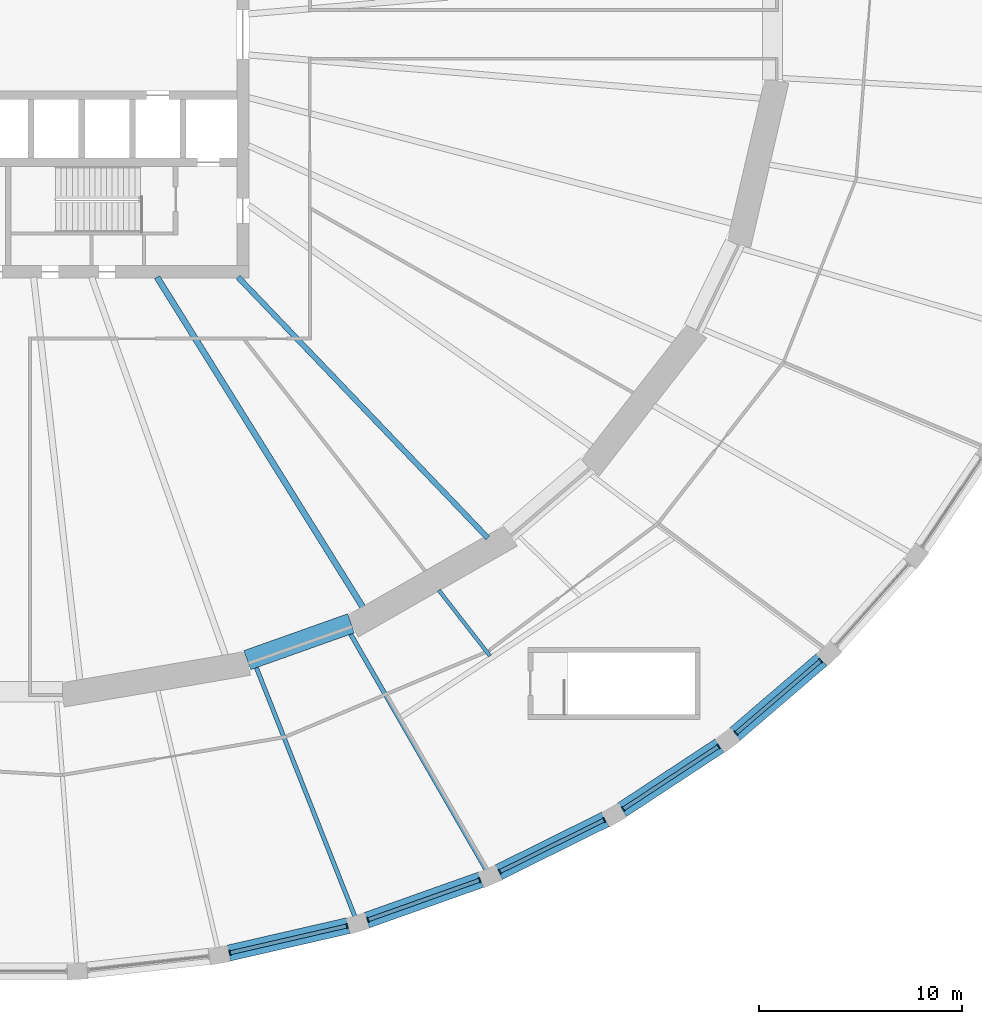
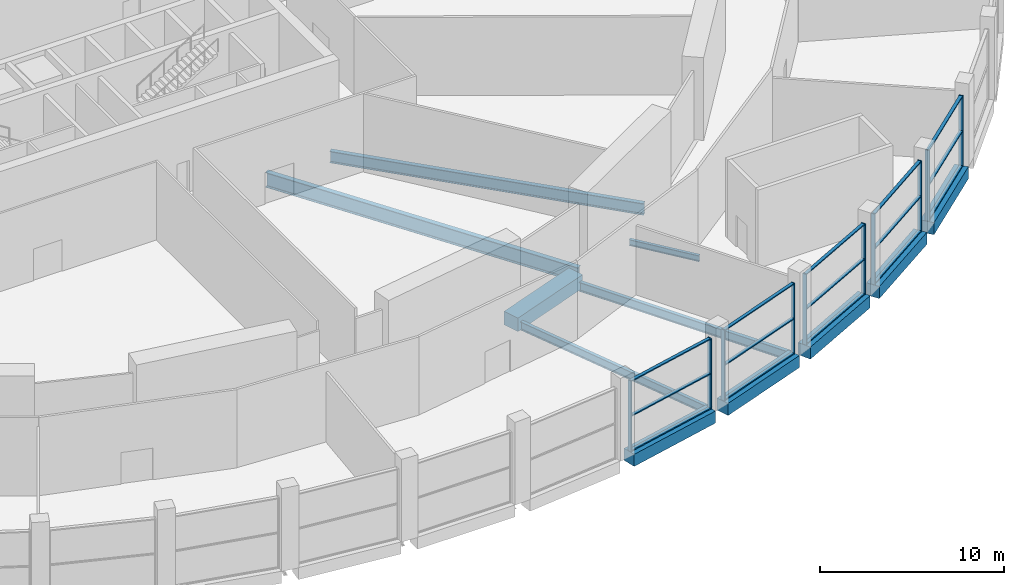
# One storey, part 7 of 26: 25 members, 11 beams, 5 elements without a shape of their own.
"""IFC4 building model written with IfcOpenShell, lengths in metres."""

from ifc_helpers import new_model, si_unit, direction, frame, origin, origin_2d, place, context, subcontext, project, spatial, rectangle, i_section, extrude, material, material_profile, profile_set, type_object, element, aggregate, save


model = new_model("IFC4")

# Units and contexts
model_context = context("Model", 3, precision=1e-05, world=origin(), true_north=direction((0.0, 1.0)))
body_context = subcontext(model_context, "Body", "Model", "MODEL_VIEW")
ifc_project = project(units=[si_unit("LENGTHUNIT", "METRE"), si_unit("AREAUNIT", "SQUARE_METRE"), si_unit("VOLUMEUNIT", "CUBIC_METRE"), si_unit("PLANEANGLEUNIT", "RADIAN"), si_unit("MASSUNIT", "GRAM", prefix="KILO")], contexts=[model_context])

# Site, building, storey
site_placement = place(None, origin())
site = spatial("IfcSite", under=ifc_project, at=site_placement, CompositionType="ELEMENT")
building_placement = place(site_placement, origin())
building = spatial("IfcBuilding", under=site, at=building_placement, Name="Halqa Exchange Tower", CompositionType="ELEMENT")
storey_placement = place(building_placement, frame((0.0, 0.0, 18.0)))
storey = spatial("IfcBuildingStorey", under=building, at=storey_placement, Name="L03", CompositionType="ELEMENT", Elevation=18.0)

# Curtain wall, members
ifc_material_1 = material(Name="Anodised aluminium and clear glass", Category="aluminium")
curtain_wall_type = type_object("IfcCurtainWallType", Name="Exchange hall glazing", PredefinedType="NOTDEFINED", material=ifc_material_1)
curtain_wall_1_placement = place(storey_placement, origin())
curtain_wall_1 = element("IfcCurtainWall", 1, at=curtain_wall_1_placement, inside=storey, type_object=curtain_wall_type, Name="Exchange hall glazing run P38", PredefinedType="NOTDEFINED")
ifc_material_2 = material(Name="Anodised aluminium", Category="aluminium")
ifc_material_profile_1 = material_profile(ifc_material_2, rectangle(XDim=0.25, YDim=0.070068359375, at=origin_2d()), Name="AL 70x250")
ifc_profile_set_1 = profile_set([ifc_material_profile_1], Name="Anodised aluminium")
member_type_1 = type_object("IfcMemberType", Name="Exchange hall glazing mullion 70 x 250", PredefinedType="MULLION", material=ifc_profile_set_1)
member_1_placement = place(storey_placement, frame((11.056396484375, -45.29052734375, 0.0), z_axis=(0.0, 0.0, 1.0), x_axis=(-0.223896655269, 0.974612891234, 0.0)))
member_1 = element("IfcMember", 2, at=member_1_placement, type_object=member_type_1, Name="P38 mullion 1", PredefinedType="MULLION", context=body_context, shape_type="SweptSolid", body=[
    extrude(rectangle(XDim=0.25, YDim=0.070068359375, at=origin_2d()), origin(), (0.0, 0.0, 1.0), 4.699951171875),
])
member_2_placement = place(storey_placement, frame((16.836181640625, -43.962646484375, 0.0), z_axis=(0.0, 0.0, 1.0), x_axis=(-0.223896655269, 0.974612891234, 0.0)))
member_2 = element("IfcMember", 3, at=member_2_placement, type_object=member_type_1, Name="P38 mullion 2", PredefinedType="MULLION", context=body_context, shape_type="SweptSolid", body=[
    extrude(rectangle(XDim=0.25, YDim=0.070068359375, at=origin_2d()), origin(), (0.0, 0.0, 1.0), 4.699951171875),
])

curtain_wall_2_placement = place(storey_placement, origin())
curtain_wall_2 = element("IfcCurtainWall", 4, at=curtain_wall_2_placement, inside=storey, type_object=curtain_wall_type, Name="Exchange hall glazing run P39", PredefinedType="NOTDEFINED")
member_3_placement = place(storey_placement, frame((17.86181640625, -43.663818359375, 0.0), z_axis=(0.0, 0.0, 1.0), x_axis=(-0.334688348326, 0.942328875444, 0.0)))
member_3 = element("IfcMember", 5, at=member_3_placement, type_object=member_type_1, Name="P39 mullion 1", PredefinedType="MULLION", context=body_context, shape_type="SweptSolid", body=[
    extrude(rectangle(XDim=0.25, YDim=0.070068359375, at=origin_2d()), origin(), (0.0, 0.0, 1.0), 4.699951171875),
])
member_4_placement = place(storey_placement, frame((23.37939453125, -41.7041015625, 0.0), z_axis=(0.0, 0.0, 1.0), x_axis=(-0.334688348326, 0.942328875444, 0.0)))
member_4 = element("IfcMember", 6, at=member_4_placement, type_object=member_type_1, Name="P39 mullion 2", PredefinedType="MULLION", context=body_context, shape_type="SweptSolid", body=[
    extrude(rectangle(XDim=0.25, YDim=0.070068359375, at=origin_2d()), origin(), (0.0, 0.0, 1.0), 4.699951171875),
])

curtain_wall_3_placement = place(storey_placement, origin())
curtain_wall_3 = element("IfcCurtainWall", 7, at=curtain_wall_3_placement, inside=storey, type_object=curtain_wall_type, Name="Exchange hall glazing run P40", PredefinedType="NOTDEFINED")
member_5_placement = place(storey_placement, frame((24.363037109375, -41.287841796875, 0.0), z_axis=(0.0, 0.0, 1.0), x_axis=(-0.443653417058, 0.896198440934, 0.0)))
member_5 = element("IfcMember", 8, at=member_5_placement, type_object=member_type_1, Name="P40 mullion 1", PredefinedType="MULLION", context=body_context, shape_type="SweptSolid", body=[
    extrude(rectangle(XDim=0.25, YDim=0.070068359375, at=origin_2d()), origin(), (0.0, 0.0, 1.0), 4.699951171875),
])
member_6_placement = place(storey_placement, frame((29.521240234375, -38.734375, 0.0), z_axis=(0.0, 0.0, 1.0), x_axis=(-0.443653417058, 0.896198440934, 0.0)))
member_6 = element("IfcMember", 9, at=member_6_placement, type_object=member_type_1, Name="P40 mullion 2", PredefinedType="MULLION", context=body_context, shape_type="SweptSolid", body=[
    extrude(rectangle(XDim=0.25, YDim=0.070068359375, at=origin_2d()), origin(), (0.0, 0.0, 1.0), 4.699951171875),
])

curtain_wall_4_placement = place(storey_placement, origin())
curtain_wall_4 = element("IfcCurtainWall", 10, at=curtain_wall_4_placement, inside=storey, type_object=curtain_wall_type, Name="Exchange hall glazing run P41", PredefinedType="NOTDEFINED")
member_7_placement = place(storey_placement, frame((30.44775390625, -38.202880859375, 0.0), z_axis=(0.0, 0.0, 1.0), x_axis=(-0.549620040919, 0.835414753652, 0.0)))
member_7 = element("IfcMember", 11, at=member_7_placement, type_object=member_type_1, Name="P41 mullion 1", PredefinedType="MULLION", context=body_context, shape_type="SweptSolid", body=[
    extrude(rectangle(XDim=0.25, YDim=0.070068359375, at=origin_2d()), origin(), (0.0, 0.0, 1.0), 4.699951171875),
])
member_8_placement = place(storey_placement, frame((35.15771484375, -35.104248046875, 0.0), z_axis=(0.0, 0.0, 1.0), x_axis=(-0.549620040919, 0.835414753652, 0.0)))
member_8 = element("IfcMember", 12, at=member_8_placement, type_object=member_type_1, Name="P41 mullion 2", PredefinedType="MULLION", context=body_context, shape_type="SweptSolid", body=[
    extrude(rectangle(XDim=0.25, YDim=0.070068359375, at=origin_2d()), origin(), (0.0, 0.0, 1.0), 4.699951171875),
])

curtain_wall_5_placement = place(storey_placement, origin())
curtain_wall_5 = element("IfcCurtainWall", 13, at=curtain_wall_5_placement, inside=storey, type_object=curtain_wall_type, Name="Exchange hall glazing run P42", PredefinedType="NOTDEFINED")
member_9_placement = place(storey_placement, frame((36.010986328125, -34.4619140625, 0.0), z_axis=(0.0, 0.0, 1.0), x_axis=(-0.650910929175, 0.759154109704, 0.0)))
member_9 = element("IfcMember", 14, at=member_9_placement, type_object=member_type_1, Name="P42 mullion 1", PredefinedType="MULLION", context=body_context, shape_type="SweptSolid", body=[
    extrude(rectangle(XDim=0.25, YDim=0.070068359375, at=origin_2d()), origin(), (0.0, 0.0, 1.0), 4.699951171875),
])
member_10_placement = place(storey_placement, frame((40.193115234375, -30.8759765625, 0.0), z_axis=(0.0, 0.0, 1.0), x_axis=(-0.650910929175, 0.759154109704, 0.0)))
member_10 = element("IfcMember", 15, at=member_10_placement, type_object=member_type_1, Name="P42 mullion 2", PredefinedType="MULLION", context=body_context, shape_type="SweptSolid", body=[
    extrude(rectangle(XDim=0.25, YDim=0.070068359375, at=origin_2d()), origin(), (0.0, 0.0, 1.0), 4.699951171875),
])

# Member
ifc_material_profile_2 = material_profile(ifc_material_2, rectangle(XDim=0.199951171875, YDim=0.070068359375, at=origin_2d()), Name="AL 70x200")
ifc_profile_set_2 = profile_set([ifc_material_profile_2], Name="Anodised aluminium")
member_type_2 = type_object("IfcMemberType", Name="Exchange hall glazing transom 70 x 200", PredefinedType="USERDEFINED", material=ifc_profile_set_2)
member_11_placement = place(storey_placement, frame((11.09033203125, -45.28271484375, 0.034912109375), z_axis=(0.974610483498, 0.223907135784, 0.0), x_axis=(-0.223907135784, 0.974610483498, 0.0)))
member_11 = element("IfcMember", 16, at=member_11_placement, type_object=member_type_2, Name="P38 transom 1.1", ObjectType="TRANSOM", PredefinedType="USERDEFINED", context=body_context, shape_type="SweptSolid", body=[
    extrude(rectangle(XDim=0.199951171875, YDim=0.070068359375, at=origin_2d()), origin(), (0.0, 0.0, 1.0), 5.860595703125),
])

member_12_placement = place(storey_placement, frame((11.09033203125, -45.28271484375, 2.35009765625), z_axis=(0.974610483498, 0.223907135784, 0.0), x_axis=(-0.223907135784, 0.974610483498, 0.0)))
member_12 = element("IfcMember", 17, at=member_12_placement, type_object=member_type_2, Name="P38 transom 1.2", ObjectType="TRANSOM", PredefinedType="USERDEFINED", context=body_context, shape_type="SweptSolid", body=[
    extrude(rectangle(XDim=0.199951171875, YDim=0.070068359375, at=origin_2d()), origin(), (0.0, 0.0, 1.0), 5.860595703125),
])

member_13_placement = place(storey_placement, frame((11.09033203125, -45.28271484375, 4.6650390625), z_axis=(0.974610483498, 0.223907135784, 0.0), x_axis=(-0.223907135784, 0.974610483498, 0.0)))
member_13 = element("IfcMember", 18, at=member_13_placement, type_object=member_type_2, Name="P38 transom 1.3", ObjectType="TRANSOM", PredefinedType="USERDEFINED", context=body_context, shape_type="SweptSolid", body=[
    extrude(rectangle(XDim=0.199951171875, YDim=0.070068359375, at=origin_2d()), origin(), (0.0, 0.0, 1.0), 5.860595703125),
])

aggregate(curtain_wall_1, [member_1, member_2, member_11, member_12, member_13])

member_14_placement = place(storey_placement, frame((17.894775390625, -43.652099609375, 0.034912109375), z_axis=(0.942328600126, 0.334689123493, 0.0), x_axis=(-0.334689123493, 0.942328600126, 0.0)))
member_14 = element("IfcMember", 19, at=member_14_placement, type_object=member_type_2, Name="P39 transom 1.1", ObjectType="TRANSOM", PredefinedType="USERDEFINED", context=body_context, shape_type="SweptSolid", body=[
    extrude(rectangle(XDim=0.199951171875, YDim=0.070068359375, at=origin_2d()), origin(), (0.0, 0.0, 1.0), 5.785400390625),
])

member_15_placement = place(storey_placement, frame((17.894775390625, -43.652099609375, 2.35009765625), z_axis=(0.942328600126, 0.334689123493, 0.0), x_axis=(-0.334689123493, 0.942328600126, 0.0)))
member_15 = element("IfcMember", 20, at=member_15_placement, type_object=member_type_2, Name="P39 transom 1.2", ObjectType="TRANSOM", PredefinedType="USERDEFINED", context=body_context, shape_type="SweptSolid", body=[
    extrude(rectangle(XDim=0.199951171875, YDim=0.070068359375, at=origin_2d()), origin(), (0.0, 0.0, 1.0), 5.785400390625),
])

member_16_placement = place(storey_placement, frame((17.894775390625, -43.652099609375, 4.6650390625), z_axis=(0.942328600126, 0.334689123493, 0.0), x_axis=(-0.334689123493, 0.942328600126, 0.0)))
member_16 = element("IfcMember", 21, at=member_16_placement, type_object=member_type_2, Name="P39 transom 1.3", ObjectType="TRANSOM", PredefinedType="USERDEFINED", context=body_context, shape_type="SweptSolid", body=[
    extrude(rectangle(XDim=0.199951171875, YDim=0.070068359375, at=origin_2d()), origin(), (0.0, 0.0, 1.0), 5.785400390625),
])

aggregate(curtain_wall_2, [member_3, member_4, member_14, member_15, member_16])

member_17_placement = place(storey_placement, frame((24.39453125, -41.2724609375, 0.034912109375), z_axis=(0.89618076134, 0.443689128788, 0.0), x_axis=(-0.443689128788, 0.89618076134, 0.0)))
member_17 = element("IfcMember", 22, at=member_17_placement, type_object=member_type_2, Name="P40 transom 1.1", ObjectType="TRANSOM", PredefinedType="USERDEFINED", context=body_context, shape_type="SweptSolid", body=[
    extrude(rectangle(XDim=0.199951171875, YDim=0.070068359375, at=origin_2d()), origin(), (0.0, 0.0, 1.0), 5.685791015625),
])

member_18_placement = place(storey_placement, frame((24.39453125, -41.2724609375, 2.35009765625), z_axis=(0.89618076134, 0.443689128788, 0.0), x_axis=(-0.443689128788, 0.89618076134, 0.0)))
member_18 = element("IfcMember", 23, at=member_18_placement, type_object=member_type_2, Name="P40 transom 1.2", ObjectType="TRANSOM", PredefinedType="USERDEFINED", context=body_context, shape_type="SweptSolid", body=[
    extrude(rectangle(XDim=0.199951171875, YDim=0.070068359375, at=origin_2d()), origin(), (0.0, 0.0, 1.0), 5.685791015625),
])

member_19_placement = place(storey_placement, frame((24.39453125, -41.2724609375, 4.6650390625), z_axis=(0.89618076134, 0.443689128788, 0.0), x_axis=(-0.443689128788, 0.89618076134, 0.0)))
member_19 = element("IfcMember", 24, at=member_19_placement, type_object=member_type_2, Name="P40 transom 1.3", ObjectType="TRANSOM", PredefinedType="USERDEFINED", context=body_context, shape_type="SweptSolid", body=[
    extrude(rectangle(XDim=0.199951171875, YDim=0.070068359375, at=origin_2d()), origin(), (0.0, 0.0, 1.0), 5.685791015625),
])

aggregate(curtain_wall_3, [member_5, member_6, member_17, member_18, member_19])

member_20_placement = place(storey_placement, frame((30.47705078125, -38.183837890625, 0.034912109375), z_axis=(0.835401187087, 0.549640661355, 0.0), x_axis=(-0.549640661355, 0.835401187087, 0.0)))
member_20 = element("IfcMember", 25, at=member_20_placement, type_object=member_type_2, Name="P41 transom 1.1", ObjectType="TRANSOM", PredefinedType="USERDEFINED", context=body_context, shape_type="SweptSolid", body=[
    extrude(rectangle(XDim=0.199951171875, YDim=0.070068359375, at=origin_2d()), origin(), (0.0, 0.0, 1.0), 5.56787109375),
])

member_21_placement = place(storey_placement, frame((30.47705078125, -38.183837890625, 2.35009765625), z_axis=(0.835401187087, 0.549640661355, 0.0), x_axis=(-0.549640661355, 0.835401187087, 0.0)))
member_21 = element("IfcMember", 26, at=member_21_placement, type_object=member_type_2, Name="P41 transom 1.2", ObjectType="TRANSOM", PredefinedType="USERDEFINED", context=body_context, shape_type="SweptSolid", body=[
    extrude(rectangle(XDim=0.199951171875, YDim=0.070068359375, at=origin_2d()), origin(), (0.0, 0.0, 1.0), 5.56787109375),
])

member_22_placement = place(storey_placement, frame((30.47705078125, -38.183837890625, 4.6650390625), z_axis=(0.835401187087, 0.549640661355, 0.0), x_axis=(-0.549640661355, 0.835401187087, 0.0)))
member_22 = element("IfcMember", 27, at=member_22_placement, type_object=member_type_2, Name="P41 transom 1.3", ObjectType="TRANSOM", PredefinedType="USERDEFINED", context=body_context, shape_type="SweptSolid", body=[
    extrude(rectangle(XDim=0.199951171875, YDim=0.070068359375, at=origin_2d()), origin(), (0.0, 0.0, 1.0), 5.56787109375),
])

aggregate(curtain_wall_4, [member_7, member_8, member_20, member_21, member_22])

member_23_placement = place(storey_placement, frame((36.037353515625, -34.439208984375, 0.034912109375), z_axis=(0.759142529619, 0.650924434727, 0.0), x_axis=(-0.650924434727, 0.759142529619, 0.0)))
member_23 = element("IfcMember", 28, at=member_23_placement, type_object=member_type_2, Name="P42 transom 1.1", ObjectType="TRANSOM", PredefinedType="USERDEFINED", context=body_context, shape_type="SweptSolid", body=[
    extrude(rectangle(XDim=0.199951171875, YDim=0.070068359375, at=origin_2d()), origin(), (0.0, 0.0, 1.0), 5.439208984375),
])

member_24_placement = place(storey_placement, frame((36.037353515625, -34.439208984375, 2.35009765625), z_axis=(0.759142529619, 0.650924434727, 0.0), x_axis=(-0.650924434727, 0.759142529619, 0.0)))
member_24 = element("IfcMember", 29, at=member_24_placement, type_object=member_type_2, Name="P42 transom 1.2", ObjectType="TRANSOM", PredefinedType="USERDEFINED", context=body_context, shape_type="SweptSolid", body=[
    extrude(rectangle(XDim=0.199951171875, YDim=0.070068359375, at=origin_2d()), origin(), (0.0, 0.0, 1.0), 5.439208984375),
])

member_25_placement = place(storey_placement, frame((36.037353515625, -34.439208984375, 4.6650390625), z_axis=(0.759142529619, 0.650924434727, 0.0), x_axis=(-0.650924434727, 0.759142529619, 0.0)))
member_25 = element("IfcMember", 30, at=member_25_placement, type_object=member_type_2, Name="P42 transom 1.3", ObjectType="TRANSOM", PredefinedType="USERDEFINED", context=body_context, shape_type="SweptSolid", body=[
    extrude(rectangle(XDim=0.199951171875, YDim=0.070068359375, at=origin_2d()), origin(), (0.0, 0.0, 1.0), 5.439208984375),
])

aggregate(curtain_wall_5, [member_9, member_10, member_23, member_24, member_25])

# Beams
ifc_material_3 = material(Name="Steel S355", Category="steel")
ifc_material_profile_3 = material_profile(ifc_material_3, i_section(OverallWidth=0.300048828125, OverallDepth=0.989990234375, WebThickness=0.0166015625, FlangeThickness=0.031005859375, FilletRadius=0.030029296875, at=origin_2d()), Name="HEA 1000")
ifc_profile_set_3 = profile_set([ifc_material_profile_3], Name="Steel S355")
beam_type_1 = type_object("IfcBeamType", Name="Floor beam HEA 1000", PredefinedType="BEAM", material=ifc_profile_set_3)
beam_1_placement = place(storey_placement, frame((7.46533203125, -11.971435546875, -0.844970703125), z_axis=(0.529145823441, -0.848530905468, 0.0), x_axis=(0.848530905468, 0.529145823441, 0.0)))
element("IfcBeam", 31, at=beam_1_placement, inside=storey, type_object=beam_type_1, Name="Radial beam 27", PredefinedType="BEAM", context=body_context, shape_type="SweptSolid", body=[
    extrude(i_section(OverallWidth=0.300048828125, OverallDepth=0.989990234375, WebThickness=0.0166015625, FlangeThickness=0.031005859375, FilletRadius=0.030029296875, at=origin_2d()), origin(), (0.0, 0.0, 1.0), 19.27294921875),
])
ifc_material_profile_4 = material_profile(ifc_material_3, i_section(OverallWidth=0.179931640625, OverallDepth=0.39990234375, WebThickness=0.008544921875, FlangeThickness=0.013427734375, FilletRadius=0.02099609375, at=origin_2d()), Name="IPE 400")
ifc_profile_set_4 = profile_set([ifc_material_profile_4], Name="Steel S355")
beam_type_2 = type_object("IfcBeamType", Name="Floor beam IPE 400", PredefinedType="BEAM", material=ifc_profile_set_4)
beam_2_placement = place(storey_placement, frame((21.3603515625, -27.40966796875, -0.550048828125), z_axis=(0.614706293657, -0.788756091919, 0.0), x_axis=(0.788756091919, 0.614706293657, 0.0)))
element("IfcBeam", 32, at=beam_2_placement, inside=storey, type_object=beam_type_2, Name="Radial beam 41a", PredefinedType="BEAM", context=body_context, shape_type="SweptSolid", body=[
    extrude(i_section(OverallWidth=0.179931640625, OverallDepth=0.39990234375, WebThickness=0.008544921875, FlangeThickness=0.013427734375, FilletRadius=0.02099609375, at=origin_2d()), origin(), (0.0, 0.0, 1.0), 4.104248046875),
])
ifc_material_profile_5 = material_profile(ifc_material_3, i_section(OverallWidth=0.2099609375, OverallDepth=0.550048828125, WebThickness=0.010986328125, FlangeThickness=0.01708984375, FilletRadius=0.02392578125, at=origin_2d()), Name="IPE 550")
ifc_profile_set_5 = profile_set([ifc_material_profile_5], Name="Steel S355")
beam_type_3 = type_object("IfcBeamType", Name="Floor beam IPE 550", PredefinedType="BEAM", material=ifc_profile_set_5)
beam_3_placement = place(storey_placement, frame((12.352294921875, -31.2001953125, -0.625), z_axis=(0.368106640822, -0.929783577497, 0.0), x_axis=(0.929783577497, 0.368106640822, 0.0)))
element("IfcBeam", 33, at=beam_3_placement, inside=storey, type_object=beam_type_3, Name="Radial beam 39", PredefinedType="BEAM", context=body_context, shape_type="SweptSolid", body=[
    extrude(i_section(OverallWidth=0.2099609375, OverallDepth=0.550048828125, WebThickness=0.010986328125, FlangeThickness=0.01708984375, FilletRadius=0.02392578125, at=origin_2d()), origin(), (0.0, 0.0, 1.0), 13.22412109375),
])
ifc_material_profile_6 = material_profile(ifc_material_3, i_section(OverallWidth=0.219970703125, OverallDepth=0.60009765625, WebThickness=0.011962890625, FlangeThickness=0.01904296875, FilletRadius=0.02392578125, at=origin_2d()), Name="IPE 600")
ifc_profile_set_6 = profile_set([ifc_material_profile_6], Name="Steel S355")
beam_type_4 = type_object("IfcBeamType", Name="Floor beam IPE 600", PredefinedType="BEAM", material=ifc_profile_set_6)
beam_4_placement = place(storey_placement, frame((16.996826171875, -29.551513671875, -0.64990234375), z_axis=(0.498570786865, -0.866848989435, 0.0), x_axis=(0.866848989435, 0.498570786865, 0.0)))
element("IfcBeam", 34, at=beam_4_placement, inside=storey, type_object=beam_type_4, Name="Radial beam 40", PredefinedType="BEAM", context=body_context, shape_type="SweptSolid", body=[
    extrude(i_section(OverallWidth=0.219970703125, OverallDepth=0.60009765625, WebThickness=0.011962890625, FlangeThickness=0.01904296875, FilletRadius=0.02392578125, at=origin_2d()), origin(), (0.0, 0.0, 1.0), 13.438720703125),
])
ifc_material_profile_7 = material_profile(ifc_material_3, i_section(OverallWidth=0.26806640625, OverallDepth=0.77001953125, WebThickness=0.015625, FlangeThickness=0.025390625, FilletRadius=0.01708984375, at=origin_2d()), Name="IPE 750x196")
ifc_profile_set_7 = profile_set([ifc_material_profile_7], Name="Steel S355")
beam_type_5 = type_object("IfcBeamType", Name="Floor beam IPE 750x196", PredefinedType="BEAM", material=ifc_profile_set_7)
beam_5_placement = place(storey_placement, frame((11.46240234375, -11.9716796875, -0.735107421875), z_axis=(0.6915763718, -0.722303344841, 0.0), x_axis=(0.722303344841, 0.6915763718, 0.0)))
element("IfcBeam", 35, at=beam_5_placement, inside=storey, type_object=beam_type_5, Name="Radial beam 28", PredefinedType="BEAM", context=body_context, shape_type="SweptSolid", body=[
    extrude(i_section(OverallWidth=0.26806640625, OverallDepth=0.77001953125, WebThickness=0.015625, FlangeThickness=0.025390625, FilletRadius=0.01708984375, at=origin_2d()), origin(), (0.0, 0.0, 1.0), 17.7978515625),
])
ifc_material_4 = material(Name="Concrete C60/75", Category="concrete")
ifc_material_profile_8 = material_profile(ifc_material_4, rectangle(XDim=0.800048828125, YDim=0.800048828125, at=origin_2d()), Name="800 x 800")
ifc_profile_set_8 = profile_set([ifc_material_profile_8], Name="Concrete C60/75")
beam_type_6 = type_object("IfcBeamType", Name="RC podium edge beam 800 x 800 C60/75", PredefinedType="SPANDREL", material=ifc_profile_set_8)
beam_6_placement = place(storey_placement, frame((10.99658203125, -45.304443359375, -0.39990234375), z_axis=(0.974604133477, 0.223934774008, 0.0), x_axis=(-0.223934774008, 0.974604133477, 0.0)))
element("IfcBeam", 36, at=beam_6_placement, inside=storey, type_object=beam_type_6, Name="Podium edge beam 38", PredefinedType="SPANDREL", context=body_context, shape_type="SweptSolid", body=[
    extrude(rectangle(XDim=0.800048828125, YDim=0.800048828125, at=origin_2d()), origin(), (0.0, 0.0, 1.0), 6.05517578125),
])
beam_7_placement = place(storey_placement, frame((17.802490234375, -43.684814453125, -0.39990234375), z_axis=(0.942343471221, 0.334647250469, 0.0), x_axis=(-0.334647250469, 0.942343471221, 0.0)))
element("IfcBeam", 37, at=beam_7_placement, inside=storey, type_object=beam_type_6, Name="Podium edge beam 39", PredefinedType="SPANDREL", context=body_context, shape_type="SweptSolid", body=[
    extrude(rectangle(XDim=0.800048828125, YDim=0.800048828125, at=origin_2d()), origin(), (0.0, 0.0, 1.0), 5.980712890625),
])
beam_8_placement = place(storey_placement, frame((24.30712890625, -41.3154296875, -0.39990234375), z_axis=(0.896205416004, 0.443639326847, 0.0), x_axis=(-0.443639326847, 0.896205416004, 0.0)))
element("IfcBeam", 38, at=beam_8_placement, inside=storey, type_object=beam_type_6, Name="Podium edge beam 40", PredefinedType="SPANDREL", context=body_context, shape_type="SweptSolid", body=[
    extrude(rectangle(XDim=0.800048828125, YDim=0.800048828125, at=origin_2d()), origin(), (0.0, 0.0, 1.0), 5.880126953125),
])
beam_9_placement = place(storey_placement, frame((30.396240234375, -38.23681640625, -0.39990234375), z_axis=(0.835418618456, 0.549614166426, 0.0), x_axis=(-0.549614166426, 0.835418618456, 0.0)))
element("IfcBeam", 39, at=beam_9_placement, inside=storey, type_object=beam_type_6, Name="Podium edge beam 41", PredefinedType="SPANDREL", context=body_context, shape_type="SweptSolid", body=[
    extrude(rectangle(XDim=0.800048828125, YDim=0.800048828125, at=origin_2d()), origin(), (0.0, 0.0, 1.0), 5.760986328125),
])
beam_10_placement = place(storey_placement, frame((35.963134765625, -34.502685546875, -0.39990234375), z_axis=(0.759174010844, 0.650887717859, 0.0), x_axis=(-0.650887717859, 0.759174010844, 0.0)))
element("IfcBeam", 40, at=beam_10_placement, inside=storey, type_object=beam_type_6, Name="Podium edge beam 42", PredefinedType="SPANDREL", context=body_context, shape_type="SweptSolid", body=[
    extrude(rectangle(XDim=0.800048828125, YDim=0.800048828125, at=origin_2d()), origin(), (0.0, 0.0, 1.0), 5.63427734375),
])
ifc_material_profile_9 = material_profile(ifc_material_4, rectangle(XDim=1.0, YDim=0.89990234375, at=origin_2d()), Name="1000 x 900")
ifc_profile_set_9 = profile_set([ifc_material_profile_9], Name="Concrete C60/75")
beam_type_7 = type_object("IfcBeamType", Name="RC spandrel beam 1000 x 900 C60/75", PredefinedType="SPANDREL", material=ifc_profile_set_9)
beam_11_placement = place(storey_placement, frame((11.9130859375, -30.855712890625, -0.449951171875), z_axis=(0.942357788657, 0.334606930826, 0.0), x_axis=(-0.334606930826, 0.942357788657, 0.0)))
element("IfcBeam", 41, at=beam_11_placement, inside=storey, type_object=beam_type_7, Name="Spandrel 26", PredefinedType="SPANDREL", context=body_context, shape_type="SweptSolid", body=[
    extrude(rectangle(XDim=1.0, YDim=0.89990234375, at=origin_2d()), origin(), (0.0, 0.0, 1.0), 5.429931640625),
])

save(model, "model.ifc")
